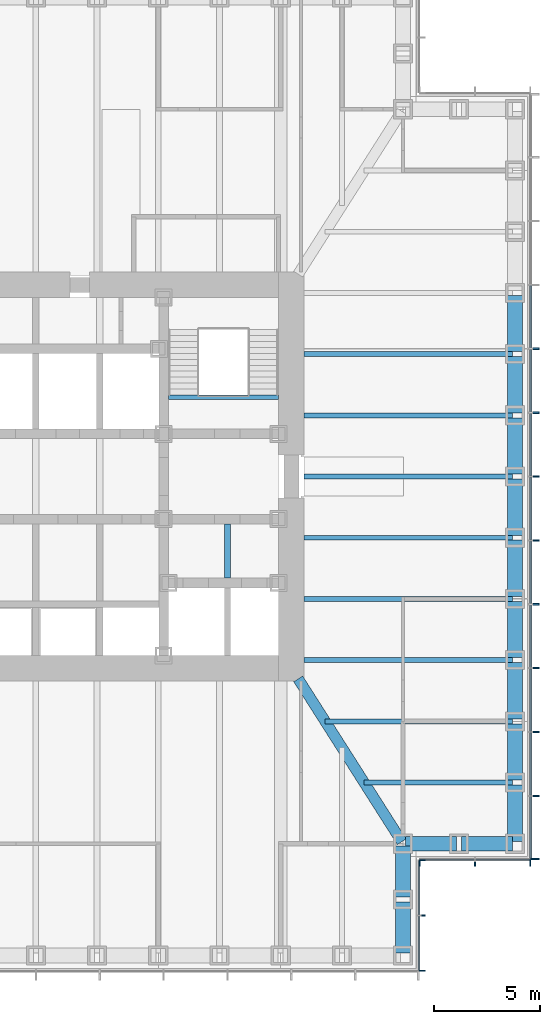
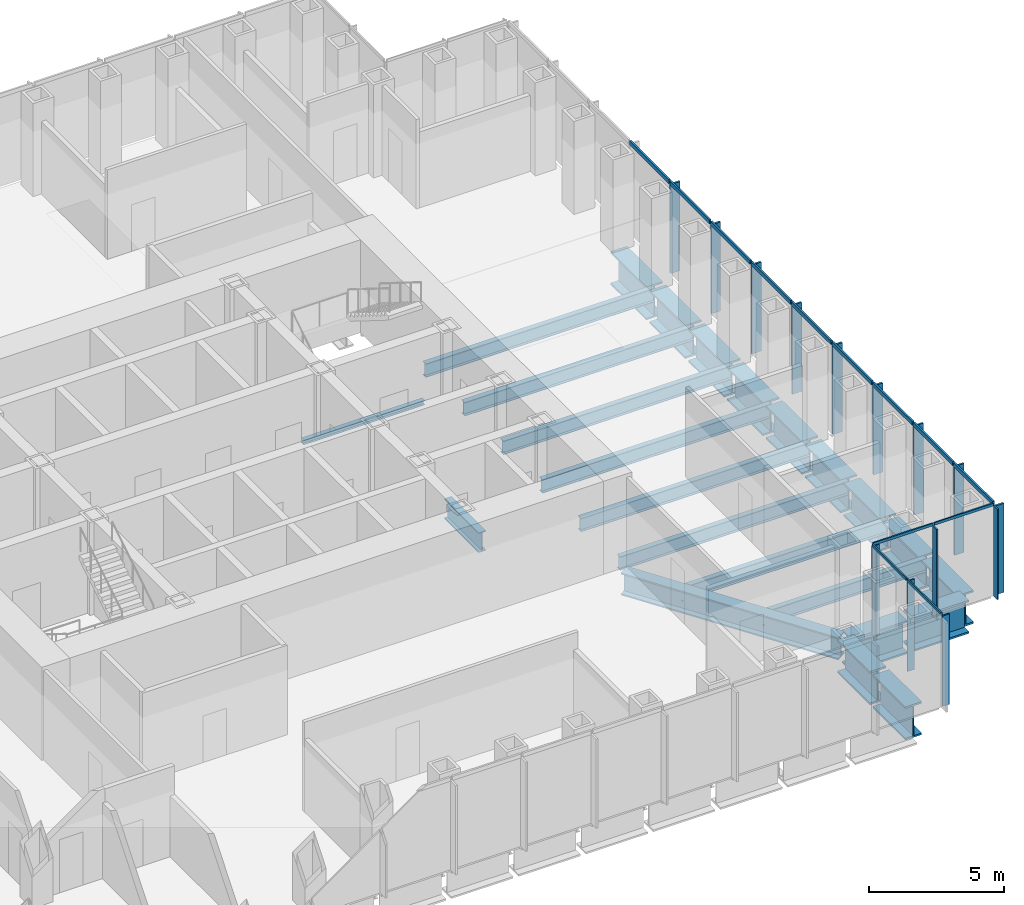
# One storey, part 4 of 17: 28 members, 24 beams, 3 elements without a shape of their own.
"""IFC4 building model written with IfcOpenShell, lengths in metres."""

import ifcopenshell
import ifcopenshell.guid

model = None  # the IFC model being written
_history = None  # IfcOwnerHistory: only IFC2X3 demands one
_inside = {}  # id of a spatial element -> (the spatial element, [elements in it])
_under = {}  # id of a project, library or spatial element -> (it, [spatial elements below it])
_declared = {}  # id of a project -> (the project, [libraries it declares])
_typed = {}  # id of a type object -> (the type object, [elements of that type])
_made_of = {}  # id of a material, layer set ... -> (it, [elements and type objects made of it])


def new_model(schema):
    """Start an empty IFC model of exactly this schema.

    Asked for "IFC4X3", IfcOpenShell would pick the latest addendum, in which some entities
    have other attributes; the version numbers below select the first issue.
    IFC2X3 requires an IfcOwnerHistory on every rooted entity: one is made here for all.
    """
    global model, _history
    if schema == "IFC4X3":
        model = ifcopenshell.file(schema_version=(4, 3, 0, 0))
    else:
        model = ifcopenshell.file(schema=schema)
    _inside.clear()
    _under.clear()
    _declared.clear()
    _typed.clear()
    _made_of.clear()
    _history = None
    if model.schema == "IFC2X3":
        org = make("IfcOrganization", Name="unknown")
        user = make(
            "IfcPersonAndOrganization",
            ThePerson=make("IfcPerson", FamilyName="unknown"),
            TheOrganization=org,
        )
        app = make(
            "IfcApplication",
            ApplicationDeveloper=org,
            Version="unknown",
            ApplicationFullName="unknown",
            ApplicationIdentifier="unknown",
        )
        _history = make(
            "IfcOwnerHistory",
            OwningUser=user,
            OwningApplication=app,
            ChangeAction="ADDED",
            CreationDate=0,
        )
    return model


def make(cls, **values):
    """One entity of the class cls with the attributes given. An attribute that is None is left unset."""
    return model.create_entity(
        cls, **{name: value for name, value in values.items() if value is not None}
    )


def rooted(cls, **values):
    """An entity with a GlobalId (a new one), such as an element, a storey or a relation."""
    return make(cls, GlobalId=ifcopenshell.guid.new(), OwnerHistory=_history, **values)


def si_unit(unit_type, name, prefix=None):
    """IfcSIUnit, for example si_unit("LENGTHUNIT", "METRE", prefix="MILLI")."""
    return make("IfcSIUnit", UnitType=unit_type, Prefix=prefix, Name=name)


def assignment(units):
    """IfcUnitAssignment: the units of a project."""
    return None if units is None else make("IfcUnitAssignment", Units=units)


def point(xyz):
    """IfcCartesianPoint."""
    return None if xyz is None else make("IfcCartesianPoint", Coordinates=xyz)


def direction(xyz):
    """IfcDirection."""
    return None if xyz is None else make("IfcDirection", DirectionRatios=xyz)


def frame(location, z_axis=None, x_axis=None):
    """IfcAxis2Placement3D, a coordinate frame: its origin and axes. An axis left out is left unset."""
    return make(
        "IfcAxis2Placement3D",
        Location=point(location),
        Axis=direction(z_axis),
        RefDirection=direction(x_axis),
    )


def frame_2d(location, x_axis=None):
    """IfcAxis2Placement2D, a coordinate frame in the plane: its origin and x axis."""
    return make(
        "IfcAxis2Placement2D", Location=point(location), RefDirection=direction(x_axis)
    )


def origin():
    """The frame at (0, 0, 0) with its axes left unset."""
    return frame((0.0, 0.0, 0.0))


def origin_2d():
    """The frame at (0, 0) in the plane with its x axis left unset."""
    return frame_2d((0.0, 0.0))


def place(relative_to, where):
    """IfcLocalPlacement: puts the frame where relative to a parent placement (None: the world)."""
    return make(
        "IfcLocalPlacement", PlacementRelTo=relative_to, RelativePlacement=where
    )


def context(
    kind, dimensions, precision=None, world=None, true_north=None, identifier=None
):
    """IfcGeometricRepresentationContext, for example the 3D "Model" context."""
    return make(
        "IfcGeometricRepresentationContext",
        ContextIdentifier=identifier,
        ContextType=kind,
        CoordinateSpaceDimension=dimensions,
        Precision=precision,
        WorldCoordinateSystem=world,
        TrueNorth=true_north,
    )


def subcontext(parent, identifier, kind, view, scale=None):
    """IfcGeometricRepresentationSubContext, for example "Body" below "Model"."""
    return make(
        "IfcGeometricRepresentationSubContext",
        ContextIdentifier=identifier,
        ContextType=kind,
        ParentContext=parent,
        TargetScale=scale,
        TargetView=view,
    )


def project(units=None, contexts=None):
    """IfcProject with its units and contexts."""
    return rooted(
        "IfcProject",
        Name="project",
        RepresentationContexts=contexts,
        UnitsInContext=assignment(units),
    )


def spatial(cls, under=None, at=None, **own):
    """A site, building, storey or space (cls), placed at a placement, below another one or the project."""
    s = rooted(cls, ObjectPlacement=at, **own)
    if under is not None:
        _under.setdefault(under.id(), (under, []))[1].append(s)
    return s


def profile(cls, at=None, kind="AREA", **sizes):
    """A parametric profile (cls). Its sizes go by their IFC names, for example OverallWidth=200.0."""
    return make(cls, ProfileType=kind, Position=at, **sizes)


def rectangle(**sizes):
    """IfcRectangleProfileDef."""
    return profile("IfcRectangleProfileDef", **sizes)


def i_section(**sizes):
    """IfcIShapeProfileDef."""
    return profile("IfcIShapeProfileDef", **sizes)


def extrude(swept, where, along, depth):
    """IfcExtrudedAreaSolid: the profile swept, set in the frame where, extruded along a direction by depth."""
    return make(
        "IfcExtrudedAreaSolid",
        SweptArea=swept,
        Position=where,
        ExtrudedDirection=direction(along),
        Depth=depth,
    )


def shape(context_of_items, identifier, shape_type, items):
    """IfcShapeRepresentation: the items that make up one representation, for example the "Body"."""
    return make(
        "IfcShapeRepresentation",
        ContextOfItems=context_of_items,
        RepresentationIdentifier=identifier,
        RepresentationType=shape_type,
        Items=items,
    )


def material(Name=None, Category=None):
    """IfcMaterial."""
    return make("IfcMaterial", Name=Name, Category=Category)


def material_profile(
    of_material, cross_section, Name=None, Category=None, Priority=None
):
    """IfcMaterialProfile: a cross section and its material."""
    return make(
        "IfcMaterialProfile",
        Name=Name,
        Material=of_material,
        Profile=cross_section,
        Priority=Priority,
        Category=Category,
    )


def profile_set(profiles, Name=None, composite=None):
    """IfcMaterialProfileSet."""
    return make(
        "IfcMaterialProfileSet",
        Name=Name,
        MaterialProfiles=profiles,
        CompositeProfile=composite,
    )


def made_of(thing, what):
    """Note that an element or type object is made of a material, layer set ...; save() writes the relation."""
    if what is not None:
        _made_of.setdefault(what.id(), (what, []))[1].append(thing)
    return thing


def type_object(cls, material=None, **own):
    """A type object (cls), such as IfcWallType, which elements share."""
    return made_of(rooted(cls, **own), material)


def element(
    cls,
    number,
    at=None,
    inside=None,
    cuts=None,
    type_object=None,
    material=None,
    context=None,
    identifier="Body",
    shape_type=None,
    held_by="IfcProductDefinitionShape",
    body=None,
    shapes=None,
    **own,
):
    """One element of the class cls, such as IfcWall. Its Tag is "e" and its number.

    at: its placement. inside: the storey or other place that contains it. cuts: it is an
    opening in that element (IfcRelVoidsElement). A single representation is given by context,
    identifier, shape_type and body (its items); several are given by shapes. held_by: the class
    of the entity that holds the representations. save() writes the other relations.
    """
    e = rooted(cls, Tag="e%d" % number, ObjectPlacement=at, **own)
    if body is not None:
        shapes = [shape(context, identifier, shape_type, body)]
    if shapes is not None:
        e.Representation = make(held_by, Representations=shapes)
    if inside is not None:
        _inside.setdefault(inside.id(), (inside, []))[1].append(e)
    if cuts is not None:
        rooted(
            "IfcRelVoidsElement", RelatingBuildingElement=cuts, RelatedOpeningElement=e
        )
    if type_object is not None:
        _typed.setdefault(type_object.id(), (type_object, []))[1].append(e)
    return made_of(e, material)


def aggregate(whole, parts):
    """IfcRelAggregates: a whole, such as a stair, and the parts it consists of."""
    return rooted("IfcRelAggregates", RelatingObject=whole, RelatedObjects=parts)


def save(model, path):
    """Write the relations noted so far, then the file.

    IfcRelAggregates (storeys below a building ...), IfcRelContainedInSpatialStructure (elements
    in a storey), IfcRelDefinesByType, IfcRelAssociatesMaterial and IfcRelDeclares: one each for
    every whole, place, type object, material and project.
    """
    for whole, parts in _under.values():
        aggregate(whole, parts)
    for where, things in _inside.values():
        rooted(
            "IfcRelContainedInSpatialStructure",
            RelatedElements=things,
            RelatingStructure=where,
        )
    for kind, things in _typed.values():
        rooted("IfcRelDefinesByType", RelatedObjects=things, RelatingType=kind)
    for what, things in _made_of.values():
        rooted("IfcRelAssociatesMaterial", RelatedObjects=things, RelatingMaterial=what)
    for by, libraries in _declared.values():
        rooted("IfcRelDeclares", RelatingContext=by, RelatedDefinitions=libraries)
    model.write(path)


model = new_model("IFC4")

# Units and contexts
model_context = context("Model", 3, precision=1e-05, world=origin(), true_north=direction((0.0, 1.0)))
body_context = subcontext(model_context, "Body", "Model", "MODEL_VIEW")
ifc_project = project(units=[si_unit("LENGTHUNIT", "METRE"), si_unit("AREAUNIT", "SQUARE_METRE"), si_unit("VOLUMEUNIT", "CUBIC_METRE"), si_unit("PLANEANGLEUNIT", "RADIAN"), si_unit("MASSUNIT", "GRAM", prefix="KILO")], contexts=[model_context])

# Site, building, storey
site_placement = place(None, origin())
site = spatial("IfcSite", under=ifc_project, at=site_placement, CompositionType="ELEMENT")
building_placement = place(site_placement, origin())
building = spatial("IfcBuilding", under=site, at=building_placement, Name="Daluyong Arena Tower", CompositionType="ELEMENT")
storey_placement = place(building_placement, frame((0.0, 0.0, 145.89990234375)))
storey = spatial("IfcBuildingStorey", under=building, at=storey_placement, Name="L32", CompositionType="ELEMENT", Elevation=145.89990234375)

# Curtain wall, members
ifc_material_1 = material(Name="Bronze anodised aluminium and glass", Category="aluminium")
curtain_wall_type_1 = type_object("IfcCurtainWallType", Name="Curtain wall CW2", PredefinedType="USERDEFINED", material=ifc_material_1)
curtain_wall_1_placement = place(storey_placement, origin())
curtain_wall_1 = element("IfcCurtainWall", 1, at=curtain_wall_1_placement, inside=storey, type_object=curtain_wall_type_1, Name="curtain wall L32 E", ObjectType="UNITISED CURTAIN WALL", PredefinedType="USERDEFINED")
ifc_material_2 = material(Name="Bronze anodised aluminium fin", Category="aluminium")
ifc_material_profile_1 = material_profile(ifc_material_2, rectangle(XDim=0.39990234375, YDim=0.080078125, at=origin_2d()))
ifc_profile_set_1 = profile_set([ifc_material_profile_1], Name="Bronze anodised aluminium fin")
member_type_1 = type_object("IfcMemberType", Name="CW2 bronze fin 400x80", PredefinedType="MULLION", material=ifc_profile_set_1)
member_1_placement = place(storey_placement, frame((79.449951171875, 62.0400390625, 0.0), z_axis=(0.0, 0.0, 1.0), x_axis=(-1.0, 0.0, 0.0)))
member_1 = element("IfcMember", 2, at=member_1_placement, type_object=member_type_1, Name="curtain wall L32 E fin 1", PredefinedType="MULLION", context=body_context, shape_type="SweptSolid", body=[
    extrude(rectangle(XDim=0.39990234375, YDim=0.080078125, at=origin_2d()), origin(), (0.0, 0.0, 1.0), 4.02001953125),
])
member_2_placement = place(storey_placement, frame((79.449951171875, 65.0, 0.0), z_axis=(0.0, 0.0, 1.0), x_axis=(-1.0, 0.0, 0.0)))
member_2 = element("IfcMember", 3, at=member_2_placement, type_object=member_type_1, Name="curtain wall L32 E fin 2", PredefinedType="MULLION", context=body_context, shape_type="SweptSolid", body=[
    extrude(rectangle(XDim=0.39990234375, YDim=0.080078125, at=origin_2d()), origin(), (0.0, 0.0, 1.0), 4.02001953125),
])
member_3_placement = place(storey_placement, frame((79.449951171875, 68.0, 0.0), z_axis=(0.0, 0.0, 1.0), x_axis=(-1.0, 0.0, 0.0)))
member_3 = element("IfcMember", 4, at=member_3_placement, type_object=member_type_1, Name="curtain wall L32 E fin 3", PredefinedType="MULLION", context=body_context, shape_type="SweptSolid", body=[
    extrude(rectangle(XDim=0.39990234375, YDim=0.080078125, at=origin_2d()), origin(), (0.0, 0.0, 1.0), 4.02001953125),
])
member_4_placement = place(storey_placement, frame((79.449951171875, 71.0, 0.0), z_axis=(0.0, 0.0, 1.0), x_axis=(-1.0, 0.0, 0.0)))
member_4 = element("IfcMember", 5, at=member_4_placement, type_object=member_type_1, Name="curtain wall L32 E fin 4", PredefinedType="MULLION", context=body_context, shape_type="SweptSolid", body=[
    extrude(rectangle(XDim=0.39990234375, YDim=0.080078125, at=origin_2d()), origin(), (0.0, 0.0, 1.0), 4.02001953125),
])
member_5_placement = place(storey_placement, frame((79.449951171875, 74.0, 0.0), z_axis=(0.0, 0.0, 1.0), x_axis=(-1.0, 0.0, 0.0)))
member_5 = element("IfcMember", 6, at=member_5_placement, type_object=member_type_1, Name="curtain wall L32 E fin 5", PredefinedType="MULLION", context=body_context, shape_type="SweptSolid", body=[
    extrude(rectangle(XDim=0.39990234375, YDim=0.080078125, at=origin_2d()), origin(), (0.0, 0.0, 1.0), 4.02001953125),
])
member_6_placement = place(storey_placement, frame((79.449951171875, 77.0, 0.0), z_axis=(0.0, 0.0, 1.0), x_axis=(-1.0, 0.0, 0.0)))
member_6 = element("IfcMember", 7, at=member_6_placement, type_object=member_type_1, Name="curtain wall L32 E fin 6", PredefinedType="MULLION", context=body_context, shape_type="SweptSolid", body=[
    extrude(rectangle(XDim=0.39990234375, YDim=0.080078125, at=origin_2d()), origin(), (0.0, 0.0, 1.0), 4.02001953125),
])
member_7_placement = place(storey_placement, frame((79.449951171875, 80.0, 0.0), z_axis=(0.0, 0.0, 1.0), x_axis=(-1.0, 0.0, 0.0)))
member_7 = element("IfcMember", 8, at=member_7_placement, type_object=member_type_1, Name="curtain wall L32 E fin 7", PredefinedType="MULLION", context=body_context, shape_type="SweptSolid", body=[
    extrude(rectangle(XDim=0.39990234375, YDim=0.080078125, at=origin_2d()), origin(), (0.0, 0.0, 1.0), 4.02001953125),
])
member_8_placement = place(storey_placement, frame((79.449951171875, 83.0, 0.0), z_axis=(0.0, 0.0, 1.0), x_axis=(-1.0, 0.0, 0.0)))
member_8 = element("IfcMember", 9, at=member_8_placement, type_object=member_type_1, Name="curtain wall L32 E fin 8", PredefinedType="MULLION", context=body_context, shape_type="SweptSolid", body=[
    extrude(rectangle(XDim=0.39990234375, YDim=0.080078125, at=origin_2d()), origin(), (0.0, 0.0, 1.0), 4.02001953125),
])
member_9_placement = place(storey_placement, frame((79.449951171875, 86.0, 0.0), z_axis=(0.0, 0.0, 1.0), x_axis=(-1.0, 0.0, 0.0)))
member_9 = element("IfcMember", 10, at=member_9_placement, type_object=member_type_1, Name="curtain wall L32 E fin 9", PredefinedType="MULLION", context=body_context, shape_type="SweptSolid", body=[
    extrude(rectangle(XDim=0.39990234375, YDim=0.080078125, at=origin_2d()), origin(), (0.0, 0.0, 1.0), 4.02001953125),
])
ifc_material_3 = material(Name="Bronze anodised aluminium", Category="aluminium")
ifc_material_profile_2 = material_profile(ifc_material_3, rectangle(XDim=0.080078125, YDim=0.179931640625, at=origin_2d()))
ifc_profile_set_2 = profile_set([ifc_material_profile_2], Name="Bronze anodised aluminium")
member_type_2 = type_object("IfcMemberType", Name="CW2 stack transom 180x80", PredefinedType="USERDEFINED", material=ifc_profile_set_2)
member_10_placement = place(storey_placement, frame((79.25, 62.080078125, 4.110107421875), z_axis=(0.0, 1.0, 0.0), x_axis=(-1.0, 0.0, 0.0)))
member_10 = element("IfcMember", 11, at=member_10_placement, type_object=member_type_2, Name="curtain wall L32 E transom 1", ObjectType="TRANSOM", PredefinedType="USERDEFINED", context=body_context, shape_type="SweptSolid", body=[
    extrude(rectangle(XDim=0.080078125, YDim=0.179931640625, at=origin_2d()), origin(), (0.0, 0.0, 1.0), 2.8798828125),
])
member_11_placement = place(storey_placement, frame((79.25, 65.0400390625, 4.110107421875), z_axis=(0.0, 1.0, 0.0), x_axis=(-1.0, 0.0, 0.0)))
member_11 = element("IfcMember", 12, at=member_11_placement, type_object=member_type_2, Name="curtain wall L32 E transom 2", ObjectType="TRANSOM", PredefinedType="USERDEFINED", context=body_context, shape_type="SweptSolid", body=[
    extrude(rectangle(XDim=0.080078125, YDim=0.179931640625, at=origin_2d()), origin(), (0.0, 0.0, 1.0), 2.919921875),
])
member_12_placement = place(storey_placement, frame((79.25, 68.0400390625, 4.110107421875), z_axis=(0.0, 1.0, 0.0), x_axis=(-1.0, 0.0, 0.0)))
member_12 = element("IfcMember", 13, at=member_12_placement, type_object=member_type_2, Name="curtain wall L32 E transom 3", ObjectType="TRANSOM", PredefinedType="USERDEFINED", context=body_context, shape_type="SweptSolid", body=[
    extrude(rectangle(XDim=0.080078125, YDim=0.179931640625, at=origin_2d()), origin(), (0.0, 0.0, 1.0), 2.919921875),
])
member_13_placement = place(storey_placement, frame((79.25, 71.0400390625, 4.110107421875), z_axis=(0.0, 1.0, 0.0), x_axis=(-1.0, 0.0, 0.0)))
member_13 = element("IfcMember", 14, at=member_13_placement, type_object=member_type_2, Name="curtain wall L32 E transom 4", ObjectType="TRANSOM", PredefinedType="USERDEFINED", context=body_context, shape_type="SweptSolid", body=[
    extrude(rectangle(XDim=0.080078125, YDim=0.179931640625, at=origin_2d()), origin(), (0.0, 0.0, 1.0), 2.919921875),
])
member_14_placement = place(storey_placement, frame((79.25, 74.0400390625, 4.110107421875), z_axis=(0.0, 1.0, 0.0), x_axis=(-1.0, 0.0, 0.0)))
member_14 = element("IfcMember", 15, at=member_14_placement, type_object=member_type_2, Name="curtain wall L32 E transom 5", ObjectType="TRANSOM", PredefinedType="USERDEFINED", context=body_context, shape_type="SweptSolid", body=[
    extrude(rectangle(XDim=0.080078125, YDim=0.179931640625, at=origin_2d()), origin(), (0.0, 0.0, 1.0), 2.919921875),
])
member_15_placement = place(storey_placement, frame((79.25, 77.0400390625, 4.110107421875), z_axis=(0.0, 1.0, 0.0), x_axis=(-1.0, 0.0, 0.0)))
member_15 = element("IfcMember", 16, at=member_15_placement, type_object=member_type_2, Name="curtain wall L32 E transom 6", ObjectType="TRANSOM", PredefinedType="USERDEFINED", context=body_context, shape_type="SweptSolid", body=[
    extrude(rectangle(XDim=0.080078125, YDim=0.179931640625, at=origin_2d()), origin(), (0.0, 0.0, 1.0), 2.919921875),
])
member_16_placement = place(storey_placement, frame((79.25, 80.0400390625, 4.110107421875), z_axis=(0.0, 1.0, 0.0), x_axis=(-1.0, 0.0, 0.0)))
member_16 = element("IfcMember", 17, at=member_16_placement, type_object=member_type_2, Name="curtain wall L32 E transom 7", ObjectType="TRANSOM", PredefinedType="USERDEFINED", context=body_context, shape_type="SweptSolid", body=[
    extrude(rectangle(XDim=0.080078125, YDim=0.179931640625, at=origin_2d()), origin(), (0.0, 0.0, 1.0), 2.919921875),
])
member_17_placement = place(storey_placement, frame((79.25, 83.0400390625, 4.110107421875), z_axis=(0.0, 1.0, 0.0), x_axis=(-1.0, 0.0, 0.0)))
member_17 = element("IfcMember", 18, at=member_17_placement, type_object=member_type_2, Name="curtain wall L32 E transom 8", ObjectType="TRANSOM", PredefinedType="USERDEFINED", context=body_context, shape_type="SweptSolid", body=[
    extrude(rectangle(XDim=0.080078125, YDim=0.179931640625, at=origin_2d()), origin(), (0.0, 0.0, 1.0), 2.919921875),
])
member_18_placement = place(storey_placement, frame((79.25, 86.0400390625, 4.110107421875), z_axis=(0.0, 1.0, 0.0), x_axis=(-1.0, 0.0, 0.0)))
member_18 = element("IfcMember", 19, at=member_18_placement, type_object=member_type_2, Name="curtain wall L32 E transom 9", ObjectType="TRANSOM", PredefinedType="USERDEFINED", context=body_context, shape_type="SweptSolid", body=[
    extrude(rectangle(XDim=0.080078125, YDim=0.179931640625, at=origin_2d()), origin(), (0.0, 0.0, 1.0), 2.919921875),
])
aggregate(curtain_wall_1, [member_1, member_2, member_3, member_4, member_5, member_6, member_7, member_8, member_9, member_10, member_11, member_12, member_13, member_14, member_15, member_16, member_17, member_18])

ifc_material_4 = material(Name="Bronze anodised aluminium and glass", Category="aluminium")
curtain_wall_type_2 = type_object("IfcCurtainWallType", Name="Curtain wall CW7", PredefinedType="USERDEFINED", material=ifc_material_4)
curtain_wall_2_placement = place(storey_placement, origin())
curtain_wall_2 = element("IfcCurtainWall", 20, at=curtain_wall_2_placement, inside=storey, type_object=curtain_wall_type_2, Name="curtain wall L32 SE-E", ObjectType="UNITISED CURTAIN WALL", PredefinedType="USERDEFINED")
ifc_material_5 = material(Name="Bronze anodised aluminium fin", Category="aluminium")
ifc_material_profile_3 = material_profile(ifc_material_5, rectangle(XDim=0.300048828125, YDim=0.06005859375, at=origin_2d()))
ifc_profile_set_3 = profile_set([ifc_material_profile_3], Name="Bronze anodised aluminium fin")
member_type_3 = type_object("IfcMemberType", Name="CW7 bronze fin 300x60", PredefinedType="MULLION", material=ifc_profile_set_3)
member_19_placement = place(storey_placement, frame((74.14990234375, 56.780029296875, 0.0), z_axis=(0.0, 0.0, 1.0), x_axis=(-1.0, 0.0, 0.0)))
member_19 = element("IfcMember", 21, at=member_19_placement, type_object=member_type_3, Name="curtain wall L32 SE-E fin 1", PredefinedType="MULLION", context=body_context, shape_type="SweptSolid", body=[
    extrude(rectangle(XDim=0.300048828125, YDim=0.06005859375, at=origin_2d()), origin(), (0.0, 0.0, 1.0), 4.080078125),
])
member_20_placement = place(storey_placement, frame((74.14990234375, 59.375, 0.0), z_axis=(0.0, 0.0, 1.0), x_axis=(-1.0, 0.0, 0.0)))
member_20 = element("IfcMember", 22, at=member_20_placement, type_object=member_type_3, Name="curtain wall L32 SE-E fin 2", PredefinedType="MULLION", context=body_context, shape_type="SweptSolid", body=[
    extrude(rectangle(XDim=0.300048828125, YDim=0.06005859375, at=origin_2d()), origin(), (0.0, 0.0, 1.0), 4.080078125),
])
member_21_placement = place(storey_placement, frame((74.14990234375, 61.969970703125, 0.0), z_axis=(0.0, 0.0, 1.0), x_axis=(-1.0, 0.0, 0.0)))
member_21 = element("IfcMember", 23, at=member_21_placement, type_object=member_type_3, Name="curtain wall L32 SE-E fin 3", PredefinedType="MULLION", context=body_context, shape_type="SweptSolid", body=[
    extrude(rectangle(XDim=0.300048828125, YDim=0.06005859375, at=origin_2d()), origin(), (0.0, 0.0, 1.0), 4.080078125),
])

curtain_wall_3_placement = place(storey_placement, origin())
curtain_wall_3 = element("IfcCurtainWall", 24, at=curtain_wall_3_placement, inside=storey, type_object=curtain_wall_type_2, Name="curtain wall L32 SE-S", ObjectType="UNITISED CURTAIN WALL", PredefinedType="USERDEFINED")
member_22_placement = place(storey_placement, frame((74.030029296875, 61.85009765625, 0.0), z_axis=(0.0, 0.0, 1.0), x_axis=(0.0, 1.0, 0.0)))
member_22 = element("IfcMember", 25, at=member_22_placement, type_object=member_type_3, Name="curtain wall L32 SE-S fin 1", PredefinedType="MULLION", context=body_context, shape_type="SweptSolid", body=[
    extrude(rectangle(XDim=0.300048828125, YDim=0.06005859375, at=origin_2d()), origin(), (0.0, 0.0, 1.0), 4.080078125),
])
member_23_placement = place(storey_placement, frame((76.625, 61.85009765625, 0.0), z_axis=(0.0, 0.0, 1.0), x_axis=(0.0, 1.0, 0.0)))
member_23 = element("IfcMember", 26, at=member_23_placement, type_object=member_type_3, Name="curtain wall L32 SE-S fin 2", PredefinedType="MULLION", context=body_context, shape_type="SweptSolid", body=[
    extrude(rectangle(XDim=0.300048828125, YDim=0.06005859375, at=origin_2d()), origin(), (0.0, 0.0, 1.0), 4.080078125),
])
member_24_placement = place(storey_placement, frame((79.219970703125, 61.85009765625, 0.0), z_axis=(0.0, 0.0, 1.0), x_axis=(0.0, 1.0, 0.0)))
member_24 = element("IfcMember", 27, at=member_24_placement, type_object=member_type_3, Name="curtain wall L32 SE-S fin 3", PredefinedType="MULLION", context=body_context, shape_type="SweptSolid", body=[
    extrude(rectangle(XDim=0.300048828125, YDim=0.06005859375, at=origin_2d()), origin(), (0.0, 0.0, 1.0), 4.080078125),
])

# Member
ifc_material_6 = material(Name="Bronze anodised aluminium", Category="aluminium")
ifc_material_profile_4 = material_profile(ifc_material_6, rectangle(XDim=0.06005859375, YDim=0.1201171875, at=origin_2d()))
ifc_profile_set_4 = profile_set([ifc_material_profile_4], Name="Bronze anodised aluminium")
member_type_4 = type_object("IfcMemberType", Name="CW7 stack transom 120x60", PredefinedType="USERDEFINED", material=ifc_profile_set_4)
member_25_placement = place(storey_placement, frame((74.0, 56.81005859375, 4.14013671875), z_axis=(0.0, 1.0, 0.0), x_axis=(-1.0, 0.0, 0.0)))
member_25 = element("IfcMember", 28, at=member_25_placement, type_object=member_type_4, Name="curtain wall L32 SE-E transom 1", ObjectType="TRANSOM", PredefinedType="USERDEFINED", context=body_context, shape_type="SweptSolid", body=[
    extrude(rectangle(XDim=0.06005859375, YDim=0.1201171875, at=origin_2d()), origin(), (0.0, 0.0, 1.0), 2.534912109375),
])

member_26_placement = place(storey_placement, frame((74.0, 59.405029296875, 4.14013671875), z_axis=(0.0, 1.0, 0.0), x_axis=(-1.0, 0.0, 0.0)))
member_26 = element("IfcMember", 29, at=member_26_placement, type_object=member_type_4, Name="curtain wall L32 SE-E transom 2", ObjectType="TRANSOM", PredefinedType="USERDEFINED", context=body_context, shape_type="SweptSolid", body=[
    extrude(rectangle(XDim=0.06005859375, YDim=0.1201171875, at=origin_2d()), origin(), (0.0, 0.0, 1.0), 2.534912109375),
])

aggregate(curtain_wall_2, [member_19, member_20, member_21, member_25, member_26])

member_27_placement = place(storey_placement, frame((74.06005859375, 62.0, 4.14013671875), z_axis=(1.0, 0.0, 0.0), x_axis=(0.0, 1.0, 0.0)))
member_27 = element("IfcMember", 30, at=member_27_placement, type_object=member_type_4, Name="curtain wall L32 SE-S transom 1", ObjectType="TRANSOM", PredefinedType="USERDEFINED", context=body_context, shape_type="SweptSolid", body=[
    extrude(rectangle(XDim=0.06005859375, YDim=0.1201171875, at=origin_2d()), origin(), (0.0, 0.0, 1.0), 2.534912109375),
])

member_28_placement = place(storey_placement, frame((76.655029296875, 62.0, 4.14013671875), z_axis=(1.0, 0.0, 0.0), x_axis=(0.0, 1.0, 0.0)))
member_28 = element("IfcMember", 31, at=member_28_placement, type_object=member_type_4, Name="curtain wall L32 SE-S transom 2", ObjectType="TRANSOM", PredefinedType="USERDEFINED", context=body_context, shape_type="SweptSolid", body=[
    extrude(rectangle(XDim=0.06005859375, YDim=0.1201171875, at=origin_2d()), origin(), (0.0, 0.0, 1.0), 2.534912109375),
])

aggregate(curtain_wall_3, [member_22, member_23, member_24, member_27, member_28])

# Beams
ifc_material_7 = material(Name="Steel ASTM A572 Grade 50", Category="steel")
ifc_material_profile_5 = material_profile(ifc_material_7, i_section(OverallWidth=0.5, OverallDepth=1.0, WebThickness=0.03, FlangeThickness=0.06, at=origin_2d()))
ifc_profile_set_5 = profile_set([ifc_material_profile_5], Name="Steel ASTM A572 Grade 50")
beam_type_1 = type_object("IfcBeamType", Name="Corner girder TB1000X500", PredefinedType="BEAM", material=ifc_profile_set_5)
beam_1_placement = place(storey_placement, frame((73.188232421875, 62.846923828125, -0.659912109375), z_axis=(-0.536872006459, 0.843663705916, 0.0), x_axis=(-0.843663705916, -0.536872006459, 0.0)))
element("IfcBeam", 32, at=beam_1_placement, inside=storey, type_object=beam_type_1, Name="corner girder DG2", PredefinedType="BEAM", context=body_context, shape_type="SweptSolid", body=[
    extrude(i_section(OverallWidth=0.5, OverallDepth=1.0, WebThickness=0.03, FlangeThickness=0.06, at=origin_2d()), origin(), (0.0, 0.0, 1.0), 9.06396484375),
])
ifc_material_8 = material(Name="Steel ASTM A992 Grade 50", Category="steel")
ifc_material_profile_6 = material_profile(ifc_material_8, i_section(OverallWidth=0.22900390625, OverallDepth=0.612060546875, WebThickness=0.011962890625, FlangeThickness=0.01953125, at=origin_2d()))
ifc_profile_set_6 = profile_set([ifc_material_profile_6], Name="Steel ASTM A992 Grade 50")
beam_type_2 = type_object("IfcBeamType", Name="Floor beam W24X84", PredefinedType="BEAM", material=ifc_profile_set_6)
beam_2_placement = place(storey_placement, frame((78.385009765625, 65.625, -0.466064453125), z_axis=(-1.0, 0.0, 0.0), x_axis=(0.0, -1.0, 0.0)))
element("IfcBeam", 33, at=beam_2_placement, inside=storey, type_object=beam_type_2, Name="floor beam FB3", PredefinedType="BEAM", context=body_context, shape_type="SweptSolid", body=[
    extrude(i_section(OverallWidth=0.22900390625, OverallDepth=0.612060546875, WebThickness=0.011962890625, FlangeThickness=0.01953125, at=origin_2d()), origin(), (0.0, 0.0, 1.0), 6.964599609375),
])
beam_3_placement = place(storey_placement, frame((78.385009765625, 68.5, -0.466064453125), z_axis=(-1.0, 0.0, 0.0), x_axis=(0.0, -1.0, 0.0)))
element("IfcBeam", 34, at=beam_3_placement, inside=storey, type_object=beam_type_2, Name="floor beam FB3", PredefinedType="BEAM", context=body_context, shape_type="SweptSolid", body=[
    extrude(i_section(OverallWidth=0.22900390625, OverallDepth=0.612060546875, WebThickness=0.011962890625, FlangeThickness=0.01953125, at=origin_2d()), origin(), (0.0, 0.0, 1.0), 8.794189453125),
])
for number, where, z_axis, x_axis, name in (
    (35, (78.385009765625, 71.375, -0.466064453125), (-1.0, 0.0, 0.0), (0.0, -1.0, 0.0), "floor beam FB3"),
    (36, (78.385009765625, 74.25, -0.466064453125), (-1.0, 0.0, 0.0), (0.0, -1.0, 0.0), "floor beam FB3"),
    (37, (78.385009765625, 77.125, -0.466064453125), (-1.0, 0.0, 0.0), (0.0, -1.0, 0.0), "floor beam FB3"),
    (38, (78.385009765625, 80.0, -0.466064453125), (-1.0, 0.0, 0.0), (0.0, -1.0, 0.0), "floor beam FB3"),
    (39, (78.385009765625, 82.875, -0.466064453125), (-1.0, 0.0, 0.0), (0.0, -1.0, 0.0), "floor beam FB3"),
    (40, (78.385009765625, 85.75, -0.466064453125), (-1.0, 0.0, 0.0), (0.0, -1.0, 0.0), "floor beam FB3"),
):
    element("IfcBeam", number, at=place(storey_placement, frame(where, z_axis=z_axis, x_axis=x_axis)), inside=storey, type_object=beam_type_2, Name=name, PredefinedType="BEAM", context=body_context, shape_type="SweptSolid", body=[
        extrude(i_section(OverallWidth=0.22900390625, OverallDepth=0.612060546875, WebThickness=0.011962890625, FlangeThickness=0.01953125, at=origin_2d()), origin(), (0.0, 0.0, 1.0), 9.784912109375),
    ])
ifc_material_9 = material(Name="Steel ASTM A572 Grade 50", Category="steel")
ifc_material_profile_7 = material_profile(ifc_material_9, i_section(OverallWidth=0.300048828125, OverallDepth=0.89990234375, WebThickness=0.025, FlangeThickness=0.04, at=origin_2d()))
ifc_profile_set_7 = profile_set([ifc_material_profile_7], Name="Steel ASTM A572 Grade 50")
beam_type_3 = type_object("IfcBeamType", Name="Lift divider beam PG900X300", PredefinedType="BEAM", material=ifc_profile_set_7)
beam_4_placement = place(storey_placement, frame((65.0, 75.22509765625, -0.60986328125), z_axis=(0.0, 1.0, 0.0), x_axis=(-1.0, 0.0, 0.0)))
element("IfcBeam", 41, at=beam_4_placement, inside=storey, type_object=beam_type_3, Name="lift divider beam DB1", PredefinedType="BEAM", context=body_context, shape_type="SweptSolid", body=[
    extrude(i_section(OverallWidth=0.300048828125, OverallDepth=0.89990234375, WebThickness=0.025, FlangeThickness=0.04, at=origin_2d()), origin(), (0.0, 0.0, 1.0), 2.5498046875),
])
ifc_material_10 = material(Name="Steel ASTM A572 Grade 50", Category="steel")
ifc_material_profile_8 = material_profile(ifc_material_10, i_section(OverallWidth=0.699951171875, OverallDepth=1.5, WebThickness=0.04, FlangeThickness=0.08, at=origin_2d()))
ifc_profile_set_8 = profile_set([ifc_material_profile_8], Name="Steel ASTM A572 Grade 50")
beam_type_4 = type_object("IfcBeamType", Name="Spandrel Z2 PG1500X700", PredefinedType="SPANDREL", material=ifc_profile_set_8)
for number, where, z_axis, x_axis, name in (
    (42, (73.25, 57.614990234375, -0.909912109375), (0.0, 1.0, 0.0), (-1.0, 0.0, 0.0), "spandrel z2 SB6"),
    (43, (73.25, 60.239990234375, -0.909912109375), (0.0, 1.0, 0.0), (-1.0, 0.0, 0.0), "spandrel z2 SB6"),
    (44, (73.364990234375, 62.75, -0.909912109375), (1.0, 0.0, 0.0), (0.0, 1.0, 0.0), "spandrel z2 SB6"),
    (45, (75.989990234375, 62.75, -0.909912109375), (1.0, 0.0, 0.0), (0.0, 1.0, 0.0), "spandrel z2 SB6"),
):
    element("IfcBeam", number, at=place(storey_placement, frame(where, z_axis=z_axis, x_axis=x_axis)), inside=storey, type_object=beam_type_4, Name=name, PredefinedType="SPANDREL", context=body_context, shape_type="SweptSolid", body=[
        extrude(i_section(OverallWidth=0.699951171875, OverallDepth=1.5, WebThickness=0.04, FlangeThickness=0.08, at=origin_2d()), origin(), (0.0, 0.0, 1.0), 2.39501953125),
    ])
for number, where, z_axis, x_axis, name in (
    (46, (78.5, 62.864990234375, -0.909912109375), (0.0, 1.0, 0.0), (-1.0, 0.0, 0.0), "spandrel z2 SB6"),
    (47, (78.5, 65.739990234375, -0.909912109375), (0.0, 1.0, 0.0), (-1.0, 0.0, 0.0), "spandrel z2 SB6"),
    (48, (78.5, 68.614990234375, -0.909912109375), (0.0, 1.0, 0.0), (-1.0, 0.0, 0.0), "spandrel z2 SB6"),
    (49, (78.5, 71.489990234375, -0.909912109375), (0.0, 1.0, 0.0), (-1.0, 0.0, 0.0), "spandrel z2 SB6"),
    (50, (78.5, 74.364990234375, -0.909912109375), (0.0, 1.0, 0.0), (-1.0, 0.0, 0.0), "spandrel z2 SB6"),
    (51, (78.5, 77.239990234375, -0.909912109375), (0.0, 1.0, 0.0), (-1.0, 0.0, 0.0), "spandrel z2 SB6"),
    (52, (78.5, 80.114990234375, -0.909912109375), (0.0, 1.0, 0.0), (-1.0, 0.0, 0.0), "spandrel z2 SB6"),
    (53, (78.5, 82.989990234375, -0.909912109375), (0.0, 1.0, 0.0), (-1.0, 0.0, 0.0), "spandrel z2 SB6"),
    (54, (78.5, 85.864990234375, -0.909912109375), (0.0, 1.0, 0.0), (-1.0, 0.0, 0.0), "spandrel z2 SB6"),
):
    element("IfcBeam", number, at=place(storey_placement, frame(where, z_axis=z_axis, x_axis=x_axis)), inside=storey, type_object=beam_type_4, Name=name, PredefinedType="SPANDREL", context=body_context, shape_type="SweptSolid", body=[
        extrude(i_section(OverallWidth=0.699951171875, OverallDepth=1.5, WebThickness=0.04, FlangeThickness=0.08, at=origin_2d()), origin(), (0.0, 0.0, 1.0), 2.64501953125),
    ])
ifc_material_11 = material(Name="Steel ASTM A992 Grade 50", Category="steel")
ifc_material_profile_9 = material_profile(ifc_material_11, i_section(OverallWidth=0.203125, OverallDepth=0.203125, WebThickness=0.00732421875, FlangeThickness=0.010986328125, at=origin_2d()))
ifc_profile_set_9 = profile_set([ifc_material_profile_9], Name="Steel ASTM A992 Grade 50")
beam_type_5 = type_object("IfcBeamType", Name="Stair landing beam W8X31", PredefinedType="BEAM", material=ifc_profile_set_9)
beam_5_placement = place(storey_placement, frame((62.22509765625, 83.723388671875, -0.261474609375), z_axis=(1.0, 0.0, 0.0), x_axis=(0.0, 1.0, 0.0)))
element("IfcBeam", 55, at=beam_5_placement, inside=storey, type_object=beam_type_5, Name="exit stair B landing beam", PredefinedType="BEAM", context=body_context, shape_type="SweptSolid", body=[
    extrude(i_section(OverallWidth=0.203125, OverallDepth=0.203125, WebThickness=0.00732421875, FlangeThickness=0.010986328125, at=origin_2d()), origin(), (0.0, 0.0, 1.0), 5.1748046875),
])

save(model, "model.ifc")
